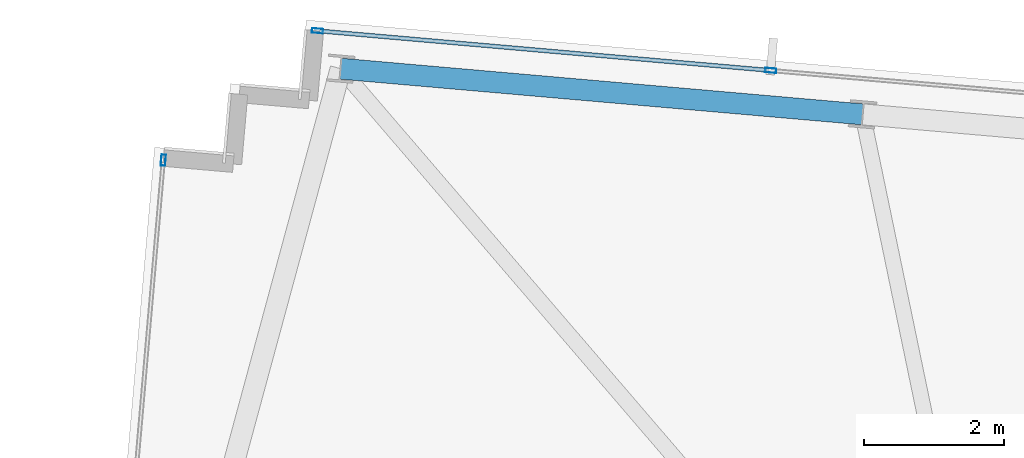
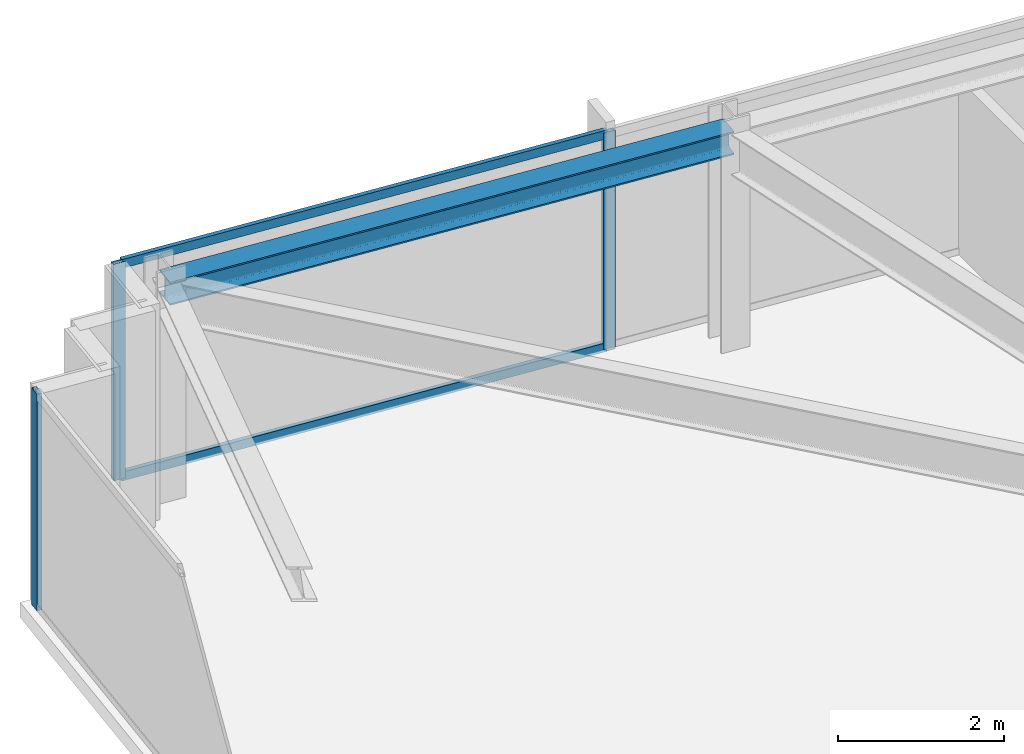
# One storey, part 23 of 32: 5 members, 1 beam, 2 elements without a shape of their own.
"""IFC4 building model written with IfcOpenShell, lengths in metres."""

from ifc_helpers import new_model, si_unit, direction, frame, origin, origin_2d, place, context, subcontext, project, spatial, hollow_rectangle, i_section, extrude, material, material_profile, profile_set, type_object, element, aggregate, save


model = new_model("IFC4")

# Units and contexts
model_context = context("Model", 3, precision=1e-05, world=origin(), true_north=direction((0.0, 1.0)))
body_context = subcontext(model_context, "Body", "Model", "MODEL_VIEW")
ifc_project = project(units=[si_unit("LENGTHUNIT", "METRE"), si_unit("AREAUNIT", "SQUARE_METRE"), si_unit("VOLUMEUNIT", "CUBIC_METRE"), si_unit("PLANEANGLEUNIT", "RADIAN"), si_unit("MASSUNIT", "GRAM", prefix="KILO")], contexts=[model_context])

# Site, building, storey
site_placement = place(None, origin())
site = spatial("IfcSite", under=ifc_project, at=site_placement, CompositionType="ELEMENT")
building_placement = place(site_placement, origin())
building = spatial("IfcBuilding", under=site, at=building_placement, Name="Yelkora Congress Tower", CompositionType="ELEMENT")
storey_placement = place(building_placement, frame((0.0, 0.0, 262.5)))
storey = spatial("IfcBuildingStorey", under=building, at=storey_placement, Name="L73", CompositionType="ELEMENT", Elevation=262.5)

# Beam
ifc_material_1 = material(Name="Steel S355J2", Category="steel")
ifc_material_profile_1 = material_profile(ifc_material_1, i_section(OverallWidth=0.300048828125, OverallDepth=0.340087890625, WebThickness=0.011962890625, FlangeThickness=0.021484375, FilletRadius=0.027099609375, at=origin_2d()), Name="HEB 340")
ifc_profile_set_1 = profile_set([ifc_material_profile_1], Name="Steel S355J2")
beam_type = type_object("IfcBeamType", Name="BM-SPAN-HEB340", PredefinedType="SPANDREL", material=ifc_profile_set_1)
beam_placement = place(storey_placement, frame((18.058837890625, 49.231689453125, 3.010009765625), z_axis=(-0.996193186297, 0.08717302092, 0.0), x_axis=(-0.08717302092, -0.996193186297, 0.0)))
element("IfcBeam", 1, at=beam_placement, inside=storey, type_object=beam_type, Name="L73 Perimeter Beam 12", PredefinedType="SPANDREL", context=body_context, shape_type="SweptSolid", body=[
    extrude(i_section(OverallWidth=0.300048828125, OverallDepth=0.340087890625, WebThickness=0.011962890625, FlangeThickness=0.021484375, FilletRadius=0.027099609375, at=origin_2d()), origin(), (0.0, 0.0, 1.0), 7.4833984375),
])

# Curtain wall, member
ifc_material_2 = material(Name="Anodised aluminium and insulated glass", Category="aluminium")
curtain_wall_type = type_object("IfcCurtainWallType", Name="CW-SYS-B5", PredefinedType="NOTDEFINED", material=ifc_material_2)
curtain_wall_1_placement = place(storey_placement, origin())
curtain_wall_1 = element("IfcCurtainWall", 2, at=curtain_wall_1_placement, inside=storey, type_object=curtain_wall_type, Name="L73 Unitised Curtain Wall 5", PredefinedType="NOTDEFINED")
ifc_material_3 = material(Name="Anodised aluminium 6063-T6", Category="aluminium")
ifc_material_profile_2 = material_profile(ifc_material_3, hollow_rectangle(XDim=0.06494140625, YDim=0.159912109375, WallThickness=0.00390625, at=origin_2d()), Name="ALU 65x160x4")
ifc_profile_set_2 = profile_set([ifc_material_profile_2], Name="Anodised aluminium 6063-T6")
member_type_1 = type_object("IfcMemberType", Name="MEM-ML-B5", PredefinedType="MULLION", material=ifc_profile_set_2)
member_1_placement = place(storey_placement, frame((8.070556640625, 48.577392578125, 0.0), z_axis=(0.0, 0.0, 1.0), x_axis=(-0.996194785929, 0.08715473876, 0.0)))
member_1 = element("IfcMember", 3, at=member_1_placement, type_object=member_type_1, Name="CW-B5 mullion 5", PredefinedType="MULLION", context=body_context, shape_type="SweptSolid", body=[
    extrude(hollow_rectangle(XDim=0.06494140625, YDim=0.159912109375, WallThickness=0.00390625, at=origin_2d()), origin(), (0.0, 0.0, 1.0), 3.179931640625),
])
aggregate(curtain_wall_1, [member_1])

# Curtain wall, members
curtain_wall_2_placement = place(storey_placement, origin())
curtain_wall_2 = element("IfcCurtainWall", 4, at=curtain_wall_2_placement, inside=storey, type_object=curtain_wall_type, Name="L73 Unitised Curtain Wall 10", PredefinedType="NOTDEFINED")
member_2_placement = place(storey_placement, frame((10.2724609375, 50.425048828125, 0.0), z_axis=(0.0, 0.0, 1.0), x_axis=(0.087156639893, 0.996194619601, 0.0)))
member_2 = element("IfcMember", 5, at=member_2_placement, type_object=member_type_1, Name="CW-B5 mullion 1", PredefinedType="MULLION", context=body_context, shape_type="SweptSolid", body=[
    extrude(hollow_rectangle(XDim=0.06494140625, YDim=0.159912109375, WallThickness=0.00390625, at=origin_2d()), origin(), (0.0, 0.0, 1.0), 3.179931640625),
])
member_3_placement = place(storey_placement, frame((16.74658203125, 49.858642578125, 0.0), z_axis=(0.0, 0.0, 1.0), x_axis=(0.087156639893, 0.996194619601, 0.0)))
member_3 = element("IfcMember", 6, at=member_3_placement, type_object=member_type_1, Name="CW-B5 mullion 2", PredefinedType="MULLION", context=body_context, shape_type="SweptSolid", body=[
    extrude(hollow_rectangle(XDim=0.06494140625, YDim=0.159912109375, WallThickness=0.00390625, at=origin_2d()), origin(), (0.0, 0.0, 1.0), 3.179931640625),
])
ifc_material_profile_3 = material_profile(ifc_material_3, hollow_rectangle(XDim=0.06005859375, YDim=0.1298828125, WallThickness=0.00390625, at=origin_2d()), Name="ALU 60x130x4")
ifc_profile_set_3 = profile_set([ifc_material_profile_3], Name="Anodised aluminium 6063-T6")
member_type_2 = type_object("IfcMemberType", Name="MEM-TR-B5", PredefinedType="USERDEFINED", material=ifc_profile_set_3)
member_4_placement = place(storey_placement, frame((10.3046875, 50.422119140625, 0.030029296875), z_axis=(0.996194170551, -0.08716177236, 0.0), x_axis=(0.08716177236, 0.996194170551, 0.0)))
member_4 = element("IfcMember", 7, at=member_4_placement, type_object=member_type_2, Name="CW-B5 transom 1.1", ObjectType="TRANSOM", PredefinedType="USERDEFINED", context=body_context, shape_type="SweptSolid", body=[
    extrude(hollow_rectangle(XDim=0.06005859375, YDim=0.1298828125, WallThickness=0.00390625, at=origin_2d()), origin(), (0.0, 0.0, 1.0), 6.433837890625),
])
member_5_placement = place(storey_placement, frame((10.3046875, 50.422119140625, 3.14990234375), z_axis=(0.996194170551, -0.08716177236, 0.0), x_axis=(0.08716177236, 0.996194170551, 0.0)))
member_5 = element("IfcMember", 8, at=member_5_placement, type_object=member_type_2, Name="CW-B5 transom 1.2", ObjectType="TRANSOM", PredefinedType="USERDEFINED", context=body_context, shape_type="SweptSolid", body=[
    extrude(hollow_rectangle(XDim=0.06005859375, YDim=0.1298828125, WallThickness=0.00390625, at=origin_2d()), origin(), (0.0, 0.0, 1.0), 6.433837890625),
])
aggregate(curtain_wall_2, [member_2, member_3, member_4, member_5])

save(model, "model.ifc")
